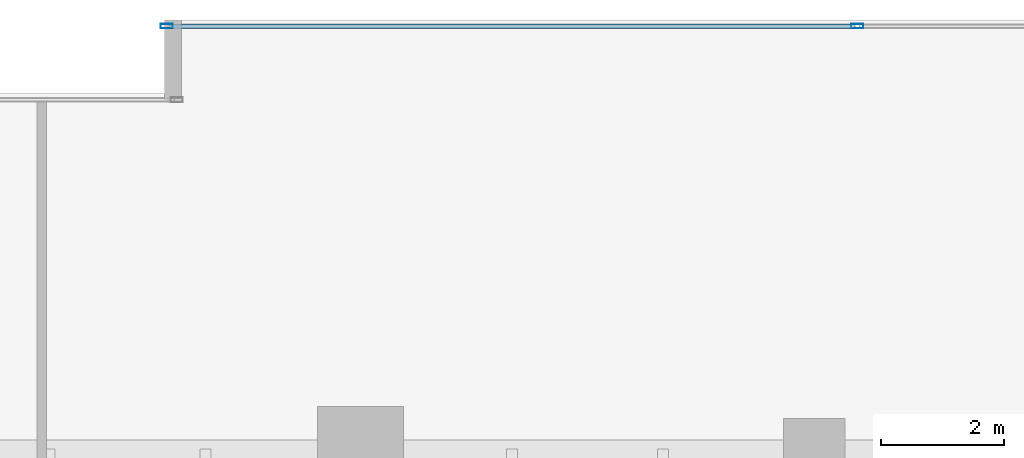
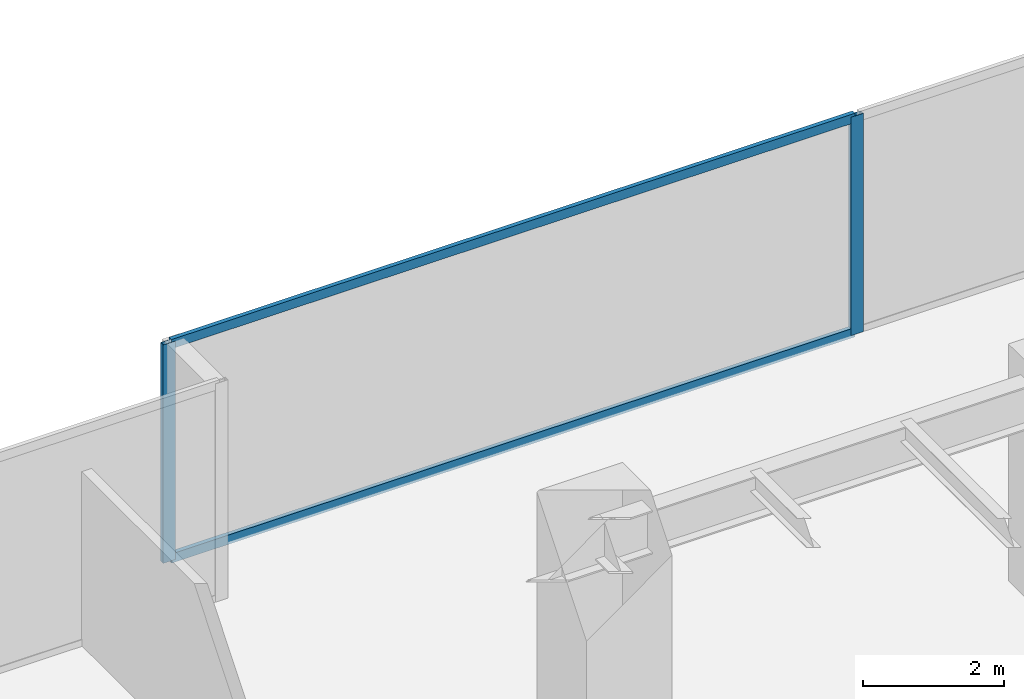
# One storey, part 22 of 35: 4 members, 1 element without a shape of its own.
"""IFC4 building model written with IfcOpenShell, lengths in metres."""

from ifc_helpers import new_model, si_unit, direction, frame, origin, origin_2d, place, context, subcontext, project, spatial, hollow_rectangle, extrude, source, transform, mapped, material, layer, layer_set, material_profile, profile_set, type_object, type_shapes, element, aggregate, save


model = new_model("IFC4")

# Units and contexts
model_context = context("Model", 3, precision=1e-05, world=origin(), true_north=direction((0.0, 1.0)))
body_context = subcontext(model_context, "Body", "Model", "MODEL_VIEW")
ifc_project = project(units=[si_unit("LENGTHUNIT", "METRE"), si_unit("AREAUNIT", "SQUARE_METRE"), si_unit("VOLUMEUNIT", "CUBIC_METRE"), si_unit("PLANEANGLEUNIT", "RADIAN"), si_unit("MASSUNIT", "GRAM", prefix="KILO")], contexts=[model_context])

# Site, building, storey
site_placement = place(None, origin())
site = spatial("IfcSite", under=ifc_project, at=site_placement, CompositionType="ELEMENT")
building_placement = place(site_placement, origin())
building = spatial("IfcBuilding", under=site, at=building_placement, Name="Haelvirn Gate Laboratories", CompositionType="ELEMENT")
storey_placement = place(building_placement, frame((0.0, 0.0, 82.60009765625)))
storey = spatial("IfcBuildingStorey", under=building, at=storey_placement, Name="L20", CompositionType="ELEMENT", Elevation=82.60009765625)

# Curtain wall, members
ifc_material_1 = material(Name="Anodised bronze unitised aluminium & triple low-E glass", Category="aluminium")
ifc_layer = layer(ifc_material_1, 0.18408203125, Name="CW-SYS-2")
ifc_layer_set = layer_set([ifc_layer], Name="Anodised bronze unitised aluminium & triple low-E glass")
curtain_wall_type = type_object("IfcCurtainWallType", Name="CW-SYS-2", PredefinedType="NOTDEFINED", material=ifc_layer_set)
curtain_wall_placement = place(storey_placement, origin())
curtain_wall = element("IfcCurtainWall", 1, at=curtain_wall_placement, inside=storey, type_object=curtain_wall_type, Name="L20 Unitised Curtain Wall CW-L20-P0-E10-1", PredefinedType="NOTDEFINED")
ifc_material_2 = material(Name="Extruded aluminium 6063-T6 (anodised bronze)", Category="aluminium")
ifc_material_profile_1 = material_profile(ifc_material_2, hollow_rectangle(XDim=0.070068359375, YDim=0.159912109375, WallThickness=0.0048828125, at=origin_2d()), Name="CWT-160x70x5")
ifc_profile_set_1 = profile_set([ifc_material_profile_1], Name="Extruded aluminium 6063-T6 (anodised bronze)")
member_type_1 = type_object("IfcMemberType", Name="CWT-T160", PredefinedType="USERDEFINED", material=ifc_profile_set_1)
shared_shape_1 = source(origin(), body_context, "Body", "SweptSolid", [
    extrude(hollow_rectangle(XDim=0.070068359375, YDim=0.159912109375, WallThickness=0.0048828125, at=origin_2d()), origin(), (0.0, 0.0, 1.0), 11.1875),
])
type_shapes(member_type_1, [shared_shape_1])
member_1_placement = place(storey_placement, frame((49.47509765625, 48.5, 0.034912109375), z_axis=(1.0, 0.0, 0.0), x_axis=(0.0, 1.0, 0.0)))
member_1 = element("IfcMember", 2, at=member_1_placement, type_object=member_type_1, Name="CW2 transom 1.1", ObjectType="TRANSOM", PredefinedType="USERDEFINED", context=body_context, shape_type="MappedRepresentation", body=[
    mapped(shared_shape_1, transform((0.0, 0.0, 0.0), scale=1.0)),
])
member_2_placement = place(storey_placement, frame((49.47509765625, 48.5, 3.744873046875), z_axis=(1.0, 0.0, 0.0), x_axis=(0.0, 1.0, 0.0)))
member_2 = element("IfcMember", 3, at=member_2_placement, type_object=member_type_1, Name="CW2 transom 1.2", ObjectType="TRANSOM", PredefinedType="USERDEFINED", context=body_context, shape_type="MappedRepresentation", body=[
    mapped(shared_shape_1, transform((0.0, 0.0, 0.0), scale=1.0)),
])
ifc_material_profile_2 = material_profile(ifc_material_2, hollow_rectangle(XDim=0.074951171875, YDim=0.199951171875, WallThickness=0.0048828125, at=origin_2d()), Name="CWM-200x75x5")
ifc_profile_set_2 = profile_set([ifc_material_profile_2], Name="Extruded aluminium 6063-T6 (anodised bronze)")
member_type_2 = type_object("IfcMemberType", Name="CWM-T200", PredefinedType="MULLION", material=ifc_profile_set_2)
shared_shape_2 = source(origin(), body_context, "Body", "SweptSolid", [
    extrude(hollow_rectangle(XDim=0.074951171875, YDim=0.199951171875, WallThickness=0.0048828125, at=origin_2d()), origin(), (0.0, 0.0, 1.0), 3.77978515625),
])
type_shapes(member_type_2, [shared_shape_2])
member_3_placement = place(storey_placement, frame((49.4375, 48.5, 0.0), z_axis=(0.0, 0.0, 1.0), x_axis=(0.0, 1.0, 0.0)))
member_3 = element("IfcMember", 4, at=member_3_placement, type_object=member_type_2, Name="CW2 mullion 1", PredefinedType="MULLION", context=body_context, shape_type="MappedRepresentation", body=[
    mapped(shared_shape_2, transform((0.0, 0.0, 0.0), scale=1.0)),
])
member_4_placement = place(storey_placement, frame((60.699951171875, 48.5, 0.0), z_axis=(0.0, 0.0, 1.0), x_axis=(0.0, 1.0, 0.0)))
member_4 = element("IfcMember", 5, at=member_4_placement, type_object=member_type_2, Name="CW2 mullion 2", PredefinedType="MULLION", context=body_context, shape_type="MappedRepresentation", body=[
    mapped(shared_shape_2, transform((0.0, 0.0, 0.0), scale=1.0)),
])
aggregate(curtain_wall, [member_3, member_4, member_1, member_2])

save(model, "model.ifc")
